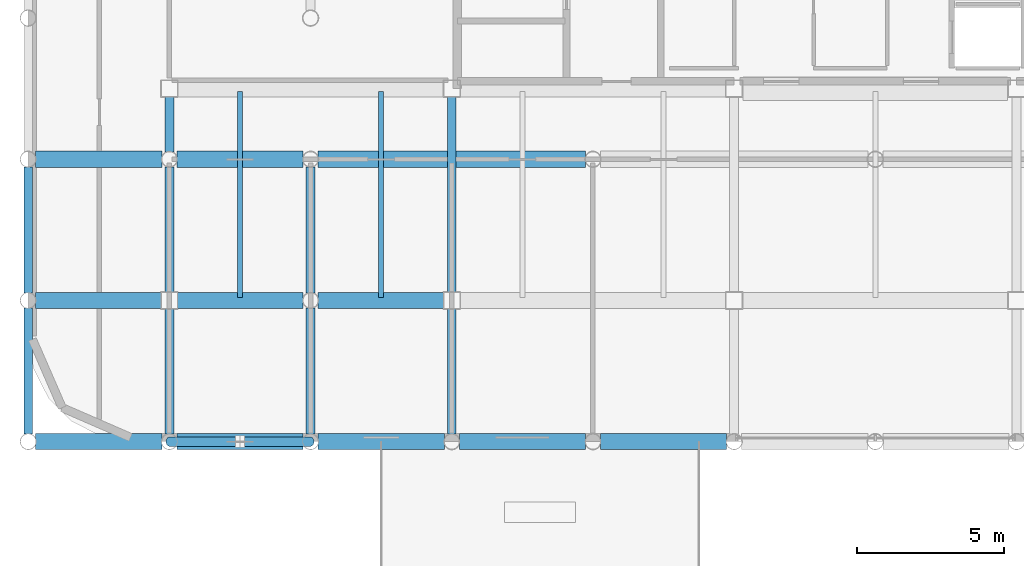
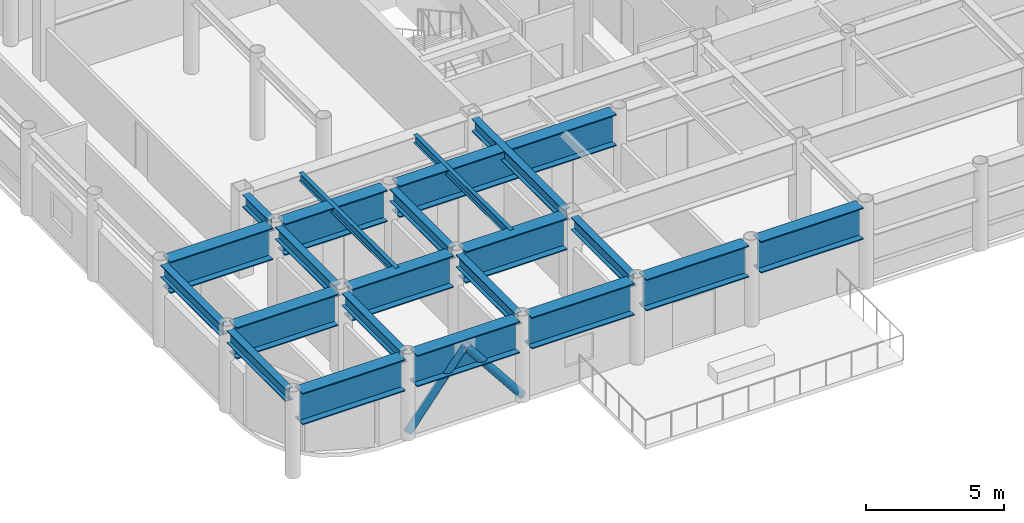
# One storey, part 3 of 26: 22 beams, 2 members.
"""IFC4 building model written with IfcOpenShell, lengths in metres."""

from ifc_helpers import new_model, si_unit, direction, frame, origin, origin_2d, place, context, subcontext, project, spatial, hollow_circle, i_section, extrude, material, material_profile, profile_set, type_object, element, save


model = new_model("IFC4")

# Units and contexts
model_context = context("Model", 3, precision=1e-05, world=origin(), true_north=direction((0.0, 1.0)))
body_context = subcontext(model_context, "Body", "Model", "MODEL_VIEW")
ifc_project = project(units=[si_unit("LENGTHUNIT", "METRE"), si_unit("AREAUNIT", "SQUARE_METRE"), si_unit("VOLUMEUNIT", "CUBIC_METRE"), si_unit("PLANEANGLEUNIT", "RADIAN"), si_unit("MASSUNIT", "GRAM", prefix="KILO")], contexts=[model_context])

# Site, building, storey
site_placement = place(None, origin())
site = spatial("IfcSite", under=ifc_project, at=site_placement, CompositionType="ELEMENT")
building_placement = place(site_placement, origin())
building = spatial("IfcBuilding", under=site, at=building_placement, Name="Kallvorn Hotel Tower", CompositionType="ELEMENT")
storey_placement = place(building_placement, frame((0.0, 0.0, 222.300048828125)))
storey = spatial("IfcBuildingStorey", under=building, at=storey_placement, Name="L55", CompositionType="ELEMENT", Elevation=222.300048828125)

# Beams
ifc_material_1 = material(Name="Structural steel S355JR", Category="steel")
ifc_material_profile_1 = material_profile(ifc_material_1, i_section(OverallWidth=0.300048828125, OverallDepth=0.550048828125, WebThickness=0.014892578125, FlangeThickness=0.029052734375, at=origin_2d()), Name="HE 550 B")
ifc_profile_set_1 = profile_set([ifc_material_profile_1], Name="Structural steel S355JR")
beam_type_1 = type_object("IfcBeamType", Name="BM_HE550B", PredefinedType="SPANDREL", material=ifc_profile_set_1)
for number, where, z_axis, x_axis, name in (
    (1, (-28.800048828125, -18.945556640625, 3.39501953125), (0.0, 1.0, 0.0), (-1.0, 0.0, 0.0), "L56 Primary Y-Girder 73"),
    (2, (-28.800048828125, -14.1455078125, 3.39501953125), (0.0, 1.0, 0.0), (-1.0, 0.0, 0.0), "L56 Primary Y-Girder 74"),
):
    element("IfcBeam", number, at=place(storey_placement, frame(where, z_axis=z_axis, x_axis=x_axis)), inside=storey, type_object=beam_type_1, Name=name, PredefinedType="SPANDREL", context=body_context, shape_type="SweptSolid", body=[
        extrude(i_section(OverallWidth=0.300048828125, OverallDepth=0.550048828125, WebThickness=0.014892578125, FlangeThickness=0.029052734375, at=origin_2d()), origin(), (0.0, 0.0, 1.0), 4.291015625),
    ])
for number, where, z_axis, x_axis, name in (
    (3, (-24.0, -18.945556640625, 3.39501953125), (0.0, 1.0, 0.0), (-1.0, 0.0, 0.0), "L56 Primary Y-Girder 81"),
    (4, (-24.0, -14.125, 3.39501953125), (0.0, 1.0, 0.0), (-1.0, 0.0, 0.0), "L56 Primary Y-Girder 82"),
):
    element("IfcBeam", number, at=place(storey_placement, frame(where, z_axis=z_axis, x_axis=x_axis)), inside=storey, type_object=beam_type_1, Name=name, PredefinedType="SPANDREL", context=body_context, shape_type="SweptSolid", body=[
        extrude(i_section(OverallWidth=0.300048828125, OverallDepth=0.550048828125, WebThickness=0.014892578125, FlangeThickness=0.029052734375, at=origin_2d()), origin(), (0.0, 0.0, 1.0), 4.2705078125),
    ])
beam_1_placement = place(storey_placement, frame((-24.0, -9.345458984375, 3.39501953125), z_axis=(0.0, 1.0, 0.0), x_axis=(-1.0, 0.0, 0.0)))
element("IfcBeam", 5, at=beam_1_placement, inside=storey, type_object=beam_type_1, Name="L56 Primary Y-Girder 83", PredefinedType="SPANDREL", context=body_context, shape_type="SweptSolid", body=[
    extrude(i_section(OverallWidth=0.300048828125, OverallDepth=0.550048828125, WebThickness=0.014892578125, FlangeThickness=0.029052734375, at=origin_2d()), origin(), (0.0, 0.0, 1.0), 1.870361328125),
])
for number, where, z_axis, x_axis, name in (
    (6, (-19.199951171875, -18.945556640625, 3.39501953125), (0.0, 1.0, 0.0), (-1.0, 0.0, 0.0), "L56 Primary Y-Girder 88"),
    (7, (-19.199951171875, -14.1455078125, 3.39501953125), (0.0, 1.0, 0.0), (-1.0, 0.0, 0.0), "L56 Primary Y-Girder 89"),
):
    element("IfcBeam", number, at=place(storey_placement, frame(where, z_axis=z_axis, x_axis=x_axis)), inside=storey, type_object=beam_type_1, Name=name, PredefinedType="SPANDREL", context=body_context, shape_type="SweptSolid", body=[
        extrude(i_section(OverallWidth=0.300048828125, OverallDepth=0.550048828125, WebThickness=0.014892578125, FlangeThickness=0.029052734375, at=origin_2d()), origin(), (0.0, 0.0, 1.0), 4.291015625),
    ])
beam_2_placement = place(storey_placement, frame((-14.39990234375, -18.945556640625, 3.39501953125), z_axis=(0.0, 1.0, 0.0), x_axis=(-1.0, 0.0, 0.0)))
element("IfcBeam", 8, at=beam_2_placement, inside=storey, type_object=beam_type_1, Name="L56 Primary Y-Girder 97", PredefinedType="SPANDREL", context=body_context, shape_type="SweptSolid", body=[
    extrude(i_section(OverallWidth=0.300048828125, OverallDepth=0.550048828125, WebThickness=0.014892578125, FlangeThickness=0.029052734375, at=origin_2d()), origin(), (0.0, 0.0, 1.0), 4.2705078125),
])
beam_3_placement = place(storey_placement, frame((-14.39990234375, -14.125, 3.39501953125), z_axis=(0.0, 1.0, 0.0), x_axis=(-1.0, 0.0, 0.0)))
element("IfcBeam", 9, at=beam_3_placement, inside=storey, type_object=beam_type_1, Name="L56 Primary Y-Girder 98", PredefinedType="SPANDREL", context=body_context, shape_type="SweptSolid", body=[
    extrude(i_section(OverallWidth=0.300048828125, OverallDepth=0.550048828125, WebThickness=0.014892578125, FlangeThickness=0.029052734375, at=origin_2d()), origin(), (0.0, 0.0, 1.0), 6.64990234375),
])
ifc_material_2 = material(Name="Structural steel S355JR", Category="steel")
ifc_material_profile_2 = material_profile(ifc_material_2, i_section(OverallWidth=0.169921875, OverallDepth=0.360107421875, WebThickness=0.008056640625, FlangeThickness=0.0126953125, at=origin_2d()), Name="IPE 360")
ifc_profile_set_2 = profile_set([ifc_material_profile_2], Name="Structural steel S355JR")
beam_type_2 = type_object("IfcBeamType", Name="BM_IPE360", PredefinedType="JOIST", material=ifc_profile_set_2)
for number, where, z_axis, x_axis, name in (
    (10, (-21.60009765625, -14.300048828125, 3.489990234375), (0.0, 1.0, 0.0), (-1.0, 0.0, 0.0), "L56 Secondary Composite Joist 192"),
    (11, (-16.800048828125, -14.300048828125, 3.489990234375), (0.0, 1.0, 0.0), (-1.0, 0.0, 0.0), "L56 Secondary Composite Joist 194"),
):
    element("IfcBeam", number, at=place(storey_placement, frame(where, z_axis=z_axis, x_axis=x_axis)), inside=storey, type_object=beam_type_2, Name=name, PredefinedType="JOIST", context=body_context, shape_type="SweptSolid", body=[
        extrude(i_section(OverallWidth=0.169921875, OverallDepth=0.360107421875, WebThickness=0.008056640625, FlangeThickness=0.0126953125, at=origin_2d()), origin(), (0.0, 0.0, 1.0), 7.0),
    ])
ifc_material_3 = material(Name="Structural steel S355JR", Category="steel")
ifc_material_profile_3 = material_profile(ifc_material_3, i_section(OverallWidth=0.550048828125, OverallDepth=1.39990234375, WebThickness=0.02490234375, FlangeThickness=0.044921875, at=origin_2d()), Name="PG 1400x550x25x45")
ifc_profile_set_3 = profile_set([ifc_material_profile_3], Name="Structural steel S355JR")
beam_type_3 = type_object("IfcBeamType", Name="BM_PG_1400", PredefinedType="BEAM", material=ifc_profile_set_3)
for number, where, z_axis, x_axis, name in (
    (12, (-28.54541015625, -19.199951171875, 2.969970703125), (1.0, 0.0, 0.0), (0.0, 1.0, 0.0), "L56 Primary X-Girder 01"),
    (13, (-23.74560546875, -19.199951171875, 2.969970703125), (1.0, 0.0, 0.0), (0.0, 1.0, 0.0), "L56 Primary X-Girder 02"),
    (14, (-18.945556640625, -19.199951171875, 2.969970703125), (1.0, 0.0, 0.0), (0.0, 1.0, 0.0), "L56 Primary X-Girder 03"),
    (15, (-14.1455078125, -19.199951171875, 2.969970703125), (1.0, 0.0, 0.0), (0.0, 1.0, 0.0), "L56 Primary X-Girder 04"),
    (16, (-9.345458984375, -19.199951171875, 2.969970703125), (1.0, 0.0, 0.0), (0.0, 1.0, 0.0), "L56 Primary X-Girder 05"),
):
    element("IfcBeam", number, at=place(storey_placement, frame(where, z_axis=z_axis, x_axis=x_axis)), inside=storey, type_object=beam_type_3, Name=name, PredefinedType="BEAM", context=body_context, shape_type="SweptSolid", body=[
        extrude(i_section(OverallWidth=0.550048828125, OverallDepth=1.39990234375, WebThickness=0.02490234375, FlangeThickness=0.044921875, at=origin_2d()), origin(), (0.0, 0.0, 1.0), 4.291015625),
    ])
for number, where, z_axis, x_axis, name in (
    (17, (-28.54541015625, -14.39990234375, 2.969970703125), (1.0, 0.0, 0.0), (0.0, 1.0, 0.0), "L56 Primary X-Girder 13"),
    (18, (-23.72509765625, -14.39990234375, 2.969970703125), (1.0, 0.0, 0.0), (0.0, 1.0, 0.0), "L56 Primary X-Girder 14"),
    (19, (-18.945556640625, -14.39990234375, 2.969970703125), (1.0, 0.0, 0.0), (0.0, 1.0, 0.0), "L56 Primary X-Girder 15"),
):
    element("IfcBeam", number, at=place(storey_placement, frame(where, z_axis=z_axis, x_axis=x_axis)), inside=storey, type_object=beam_type_3, Name=name, PredefinedType="BEAM", context=body_context, shape_type="SweptSolid", body=[
        extrude(i_section(OverallWidth=0.550048828125, OverallDepth=1.39990234375, WebThickness=0.02490234375, FlangeThickness=0.044921875, at=origin_2d()), origin(), (0.0, 0.0, 1.0), 4.2705078125),
    ])
for number, where, z_axis, x_axis, name in (
    (20, (-28.54541015625, -9.60009765625, 2.969970703125), (1.0, 0.0, 0.0), (0.0, 1.0, 0.0), "L56 Primary X-Girder 23"),
    (21, (-23.74560546875, -9.60009765625, 2.969970703125), (1.0, 0.0, 0.0), (0.0, 1.0, 0.0), "L56 Primary X-Girder 24"),
):
    element("IfcBeam", number, at=place(storey_placement, frame(where, z_axis=z_axis, x_axis=x_axis)), inside=storey, type_object=beam_type_3, Name=name, PredefinedType="BEAM", context=body_context, shape_type="SweptSolid", body=[
        extrude(i_section(OverallWidth=0.550048828125, OverallDepth=1.39990234375, WebThickness=0.02490234375, FlangeThickness=0.044921875, at=origin_2d()), origin(), (0.0, 0.0, 1.0), 4.291015625),
    ])
beam_4_placement = place(storey_placement, frame((-18.945556640625, -9.60009765625, 2.969970703125), z_axis=(1.0, 0.0, 0.0), x_axis=(0.0, 1.0, 0.0)))
element("IfcBeam", 22, at=beam_4_placement, inside=storey, type_object=beam_type_3, Name="L56 Primary X-Girder 25", PredefinedType="BEAM", context=body_context, shape_type="SweptSolid", body=[
    extrude(i_section(OverallWidth=0.550048828125, OverallDepth=1.39990234375, WebThickness=0.02490234375, FlangeThickness=0.044921875, at=origin_2d()), origin(), (0.0, 0.0, 1.0), 9.091064453125),
])

# Members
ifc_material_4 = material(Name="Structural steel S355J2H", Category="steel")
ifc_material_profile_4 = material_profile(ifc_material_4, hollow_circle(Radius=0.161865234375, WallThickness=0.012451171875, at=origin_2d()), Name="CHS 323.9x12.5")
ifc_profile_set_4 = profile_set([ifc_material_profile_4], Name="Structural steel S355J2H")
member_type = type_object("IfcMemberType", Name="MBR_EXO_CHS323", PredefinedType="BRACE", material=ifc_profile_set_4)
for number, where, z_axis, x_axis, name in (
    (23, (-23.987548828125, -19.199951171875, 0.195556640625), (0.62089744796, 0.0, 0.783891803196), (0.0, 1.0, 0.0), "L55 Exoskeleton K-Brace S1A"),
    (24, (-19.21240234375, -19.199951171875, 0.195556640625), (-0.62089744796, 0.0, 0.783891803196), (0.0, -1.0, 0.0), "L55 Exoskeleton K-Brace S1B"),
):
    element("IfcMember", number, at=place(storey_placement, frame(where, z_axis=z_axis, x_axis=x_axis)), inside=storey, type_object=member_type, Name=name, PredefinedType="BRACE", context=body_context, shape_type="SweptSolid", body=[
        extrude(hollow_circle(Radius=0.161865234375, WallThickness=0.012451171875, at=origin_2d()), origin(), (0.0, 0.0, 1.0), 3.825439453125),
    ])

save(model, "model.ifc")
